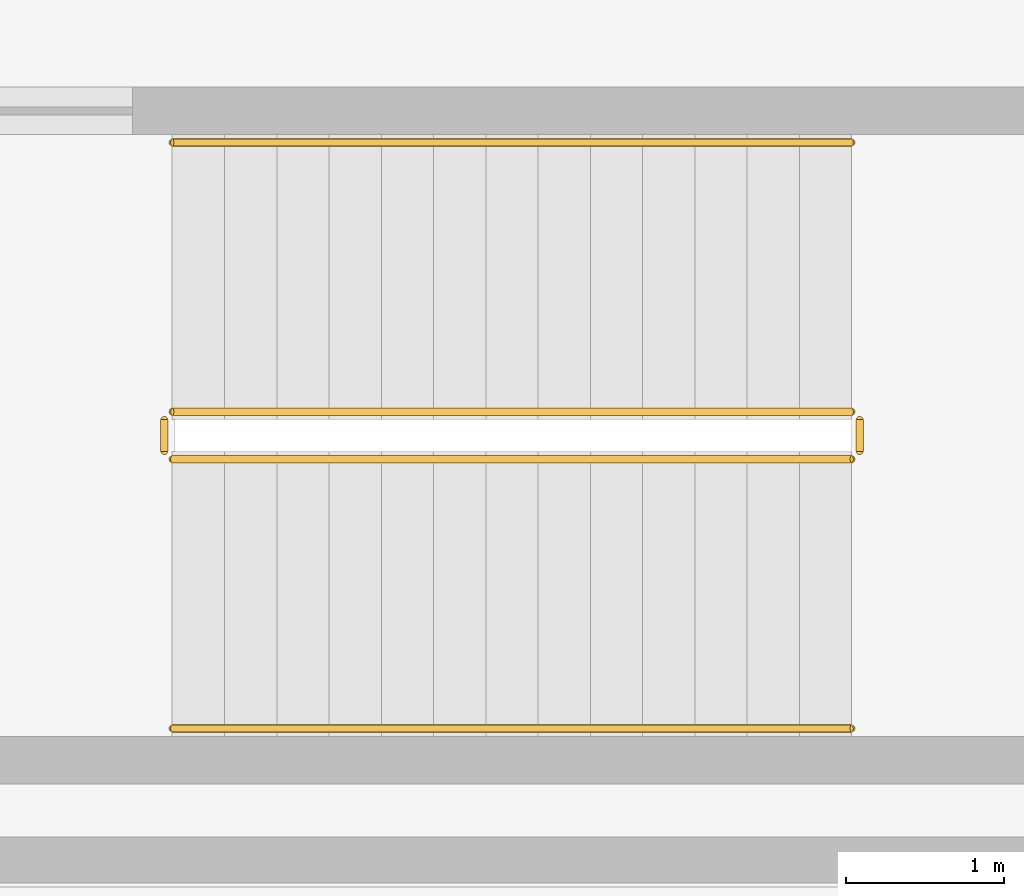
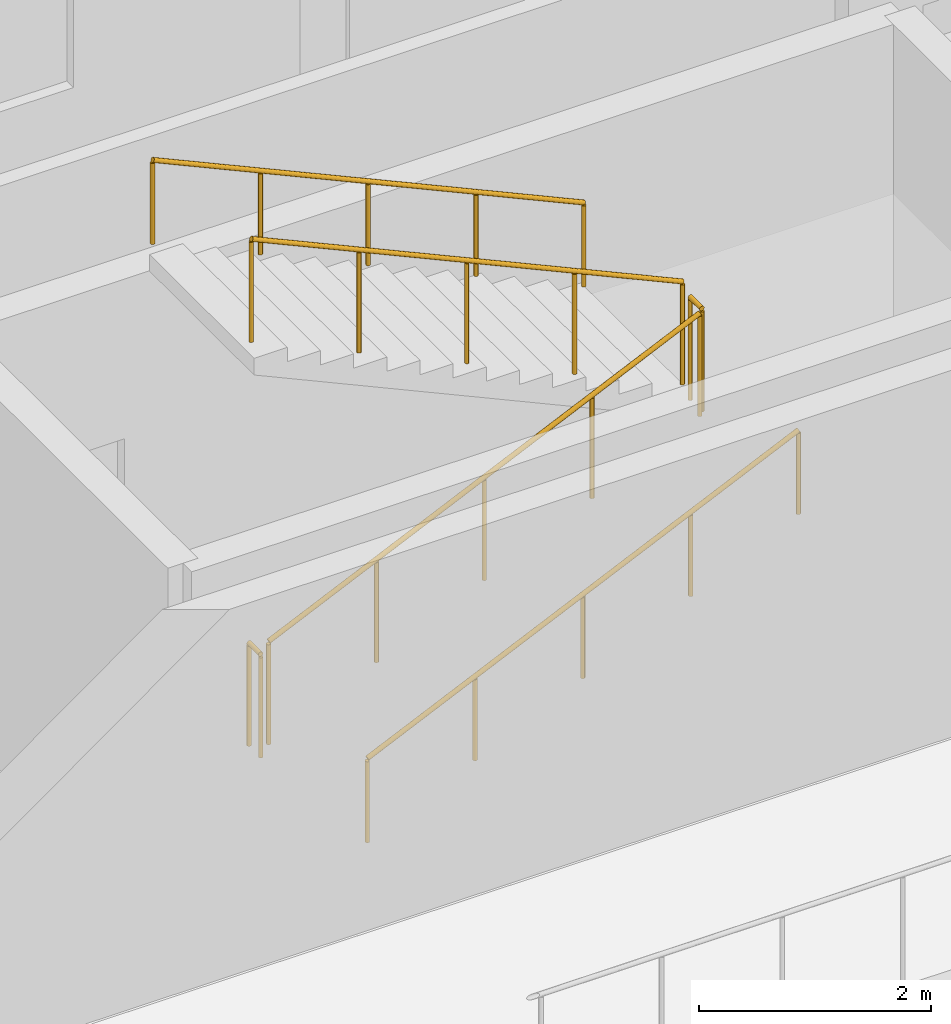
# One storey, part 11 of 14: 6 railings.
"""IFC4 building model written with IfcOpenShell, lengths in metres."""

from ifc_helpers import new_model, si_unit, direction, frame, origin, origin_2d, place, context, subcontext, project, spatial, circle, extrude, material, layer, layer_set, type_object, element, save


model = new_model("IFC4")

# Units and contexts
model_context = context("Model", 3, precision=1e-05, world=origin(), true_north=direction((0.0, 1.0)))
body_context = subcontext(model_context, "Body", "Model", "MODEL_VIEW")
ifc_project = project(units=[si_unit("LENGTHUNIT", "METRE"), si_unit("AREAUNIT", "SQUARE_METRE"), si_unit("VOLUMEUNIT", "CUBIC_METRE"), si_unit("PLANEANGLEUNIT", "RADIAN"), si_unit("MASSUNIT", "GRAM", prefix="KILO")], contexts=[model_context])

# Site, building, storey
site_placement = place(None, origin())
site = spatial("IfcSite", under=ifc_project, at=site_placement, CompositionType="ELEMENT")
building_placement = place(site_placement, origin())
building = spatial("IfcBuilding", under=site, at=building_placement, Name="Malvenik Polytechnic", CompositionType="ELEMENT")
storey_placement = place(building_placement, frame((0.0, 0.0, 21.89990234375)))
storey = spatial("IfcBuildingStorey", under=building, at=storey_placement, Name="L05", CompositionType="ELEMENT", Elevation=21.89990234375)

# Railings
ifc_material_1 = material(Name="Painted galvanised steel stair well balustrade 1100mm", Category="steel")
ifc_layer_1 = layer(ifc_material_1, 0.050048828125)
ifc_layer_set_1 = layer_set([ifc_layer_1], Name="Painted galvanised steel stair well balustrade 1100mm")
railing_type_1 = type_object("IfcRailingType", Name="ARC-RL-STGD", PredefinedType="BALUSTRADE", material=ifc_layer_set_1)
railing_1_placement = place(storey_placement, frame((11.39990234375, 120.89990234375, 0.150146484375)))
element("IfcRailing", 1, at=railing_1_placement, inside=storey, type_object=railing_type_1, Name="L05 ST-01 stair guard 1", PredefinedType="BALUSTRADE", context=body_context, shape_type="SweptSolid", body=[
    extrude(circle(Radius=0.02392578125, at=origin_2d()), frame((0.0, 0.0, 1.076171875), z_axis=(0.910371800137, 0.0, 0.413791234219), x_axis=(0.0, 1.0, 0.0)), (0.0, 0.0, 1.0), 4.71240234375),
    extrude(circle(Radius=0.02099609375, at=origin_2d()), origin(), (0.0, 0.0, 1.0), 1.052001953125),
    extrude(circle(Radius=0.02099609375, at=origin_2d()), frame((1.072509765625, 0.0, 0.487548828125)), (0.0, 0.0, 1.0), 1.052001953125),
    extrude(circle(Radius=0.02099609375, at=origin_2d()), frame((2.14501953125, 0.0, 0.97509765625)), (0.0, 0.0, 1.0), 1.052001953125),
    extrude(circle(Radius=0.02099609375, at=origin_2d()), frame((3.217529296875, 0.0, 1.46240234375)), (0.0, 0.0, 1.0), 1.052001953125),
    extrude(circle(Radius=0.02099609375, at=origin_2d()), frame((4.2900390625, 0.0, 1.949951171875)), (0.0, 0.0, 1.0), 1.052001953125),
])
railing_2_placement = place(storey_placement, frame((15.739990234375, 120.949951171875, 2.10009765625)))
element("IfcRailing", 2, at=railing_2_placement, inside=storey, type_object=railing_type_1, Name="L05 ST-01 stair guard 2", PredefinedType="BALUSTRADE", context=body_context, shape_type="SweptSolid", body=[
    extrude(circle(Radius=0.02392578125, at=origin_2d()), frame((0.0, 0.0, 1.076171875), z_axis=(0.0, 1.0, 0.0), x_axis=(-1.0, 0.0, 0.0)), (0.0, 0.0, 1.0), 0.199951171875),
    extrude(circle(Radius=0.02099609375, at=origin_2d()), origin(), (0.0, 0.0, 1.0), 1.052001953125),
    extrude(circle(Radius=0.02099609375, at=origin_2d()), frame((0.0, 0.199951171875, 0.0)), (0.0, 0.0, 1.0), 1.052001953125),
])
railing_3_placement = place(storey_placement, frame((15.68994140625, 121.199951171875, 2.25)))
element("IfcRailing", 3, at=railing_3_placement, inside=storey, type_object=railing_type_1, Name="L05 ST-01 stair guard 3", PredefinedType="BALUSTRADE", context=body_context, shape_type="SweptSolid", body=[
    extrude(circle(Radius=0.02392578125, at=origin_2d()), frame((0.0, 0.0, 1.076171875), z_axis=(-0.910352283233, 0.0, 0.413834170184), x_axis=(0.0, -1.0, 0.0)), (0.0, 0.0, 1.0), 4.71240234375),
    extrude(circle(Radius=0.02099609375, at=origin_2d()), origin(), (0.0, 0.0, 1.0), 1.052001953125),
    extrude(circle(Radius=0.02099609375, at=origin_2d()), frame((-1.072509765625, 0.0, 0.487548828125)), (0.0, 0.0, 1.0), 1.052001953125),
    extrude(circle(Radius=0.02099609375, at=origin_2d()), frame((-2.14501953125, 0.0, 0.97509765625)), (0.0, 0.0, 1.0), 1.052001953125),
    extrude(circle(Radius=0.02099609375, at=origin_2d()), frame((-3.217529296875, 0.0, 1.462646484375)), (0.0, 0.0, 1.0), 1.052001953125),
    extrude(circle(Radius=0.02099609375, at=origin_2d()), frame((-4.2900390625, 0.0, 1.9501953125)), (0.0, 0.0, 1.0), 1.052001953125),
])
railing_4_placement = place(storey_placement, frame((11.35009765625, 120.949951171875, 0.0)))
element("IfcRailing", 4, at=railing_4_placement, inside=storey, type_object=railing_type_1, Name="L05 ST-01 stair guard 4", PredefinedType="BALUSTRADE", context=body_context, shape_type="SweptSolid", body=[
    extrude(circle(Radius=0.02392578125, at=origin_2d()), frame((0.0, 0.0, 1.076171875), z_axis=(0.0, 1.0, 0.0), x_axis=(-1.0, 0.0, 0.0)), (0.0, 0.0, 1.0), 0.199951171875),
    extrude(circle(Radius=0.02099609375, at=origin_2d()), origin(), (0.0, 0.0, 1.0), 1.052001953125),
    extrude(circle(Radius=0.02099609375, at=origin_2d()), frame((0.0, 0.199951171875, 0.0)), (0.0, 0.0, 1.0), 1.052001953125),
])
ifc_material_2 = material(Name="Brushed stainless steel 1.4301 stair wall handrail", Category="steel")
ifc_layer_2 = layer(ifc_material_2, 0.044921875)
ifc_layer_set_2 = layer_set([ifc_layer_2], Name="Brushed stainless steel 1.4301 stair wall handrail")
railing_type_2 = type_object("IfcRailingType", Name="ARC-RL-STHR", PredefinedType="HANDRAIL", material=ifc_layer_set_2)
railing_5_placement = place(storey_placement, frame((11.39990234375, 119.199951171875, 0.150146484375)))
element("IfcRailing", 5, at=railing_5_placement, inside=storey, type_object=railing_type_2, Name="L05 ST-01 stair handrail 1", PredefinedType="HANDRAIL", context=body_context, shape_type="SweptSolid", body=[
    extrude(circle(Radius=0.02392578125, at=origin_2d()), frame((0.0, 0.0, 0.8759765625), z_axis=(0.910371800137, 0.0, 0.413791234219), x_axis=(0.0, 1.0, 0.0)), (0.0, 0.0, 1.0), 4.71240234375),
    extrude(circle(Radius=0.02099609375, at=origin_2d()), origin(), (0.0, 0.0, 1.0), 0.851806640625),
    extrude(circle(Radius=0.02099609375, at=origin_2d()), frame((1.072509765625, 0.0, 0.487548828125)), (0.0, 0.0, 1.0), 0.851806640625),
    extrude(circle(Radius=0.02099609375, at=origin_2d()), frame((2.14501953125, 0.0, 0.97509765625)), (0.0, 0.0, 1.0), 0.851806640625),
    extrude(circle(Radius=0.02099609375, at=origin_2d()), frame((3.217529296875, 0.0, 1.46240234375)), (0.0, 0.0, 1.0), 0.851806640625),
    extrude(circle(Radius=0.02099609375, at=origin_2d()), frame((4.2900390625, 0.0, 1.949951171875)), (0.0, 0.0, 1.0), 0.851806640625),
])
railing_6_placement = place(storey_placement, frame((15.68994140625, 122.89990234375, 2.25)))
element("IfcRailing", 6, at=railing_6_placement, inside=storey, type_object=railing_type_2, Name="L05 ST-01 stair handrail 2", PredefinedType="HANDRAIL", context=body_context, shape_type="SweptSolid", body=[
    extrude(circle(Radius=0.02392578125, at=origin_2d()), frame((0.0, 0.0, 0.8759765625), z_axis=(-0.910352283233, 0.0, 0.413834170184), x_axis=(0.0, -1.0, 0.0)), (0.0, 0.0, 1.0), 4.71240234375),
    extrude(circle(Radius=0.02099609375, at=origin_2d()), origin(), (0.0, 0.0, 1.0), 0.851806640625),
    extrude(circle(Radius=0.02099609375, at=origin_2d()), frame((-1.072509765625, 0.0, 0.487548828125)), (0.0, 0.0, 1.0), 0.851806640625),
    extrude(circle(Radius=0.02099609375, at=origin_2d()), frame((-2.14501953125, 0.0, 0.97509765625)), (0.0, 0.0, 1.0), 0.851806640625),
    extrude(circle(Radius=0.02099609375, at=origin_2d()), frame((-3.217529296875, 0.0, 1.462646484375)), (0.0, 0.0, 1.0), 0.851806640625),
    extrude(circle(Radius=0.02099609375, at=origin_2d()), frame((-4.2900390625, 0.0, 1.9501953125)), (0.0, 0.0, 1.0), 0.851806640625),
])

save(model, "model.ifc")
